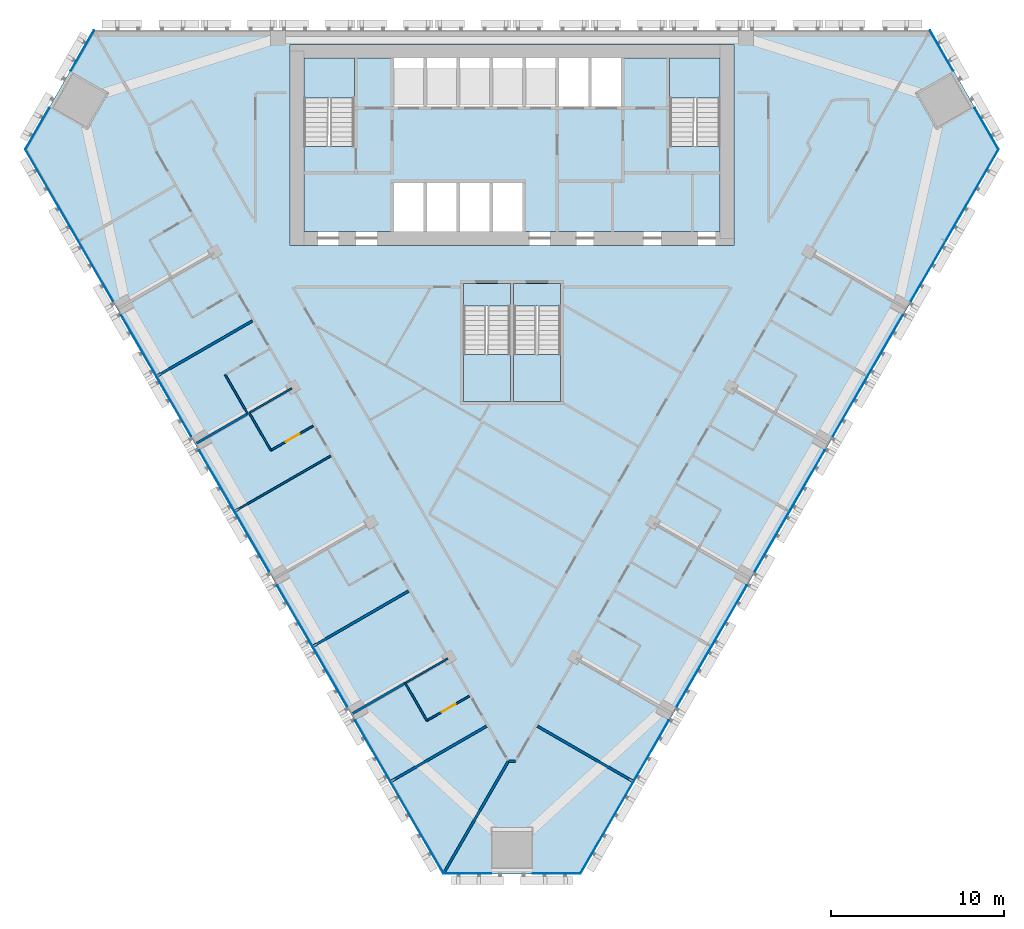
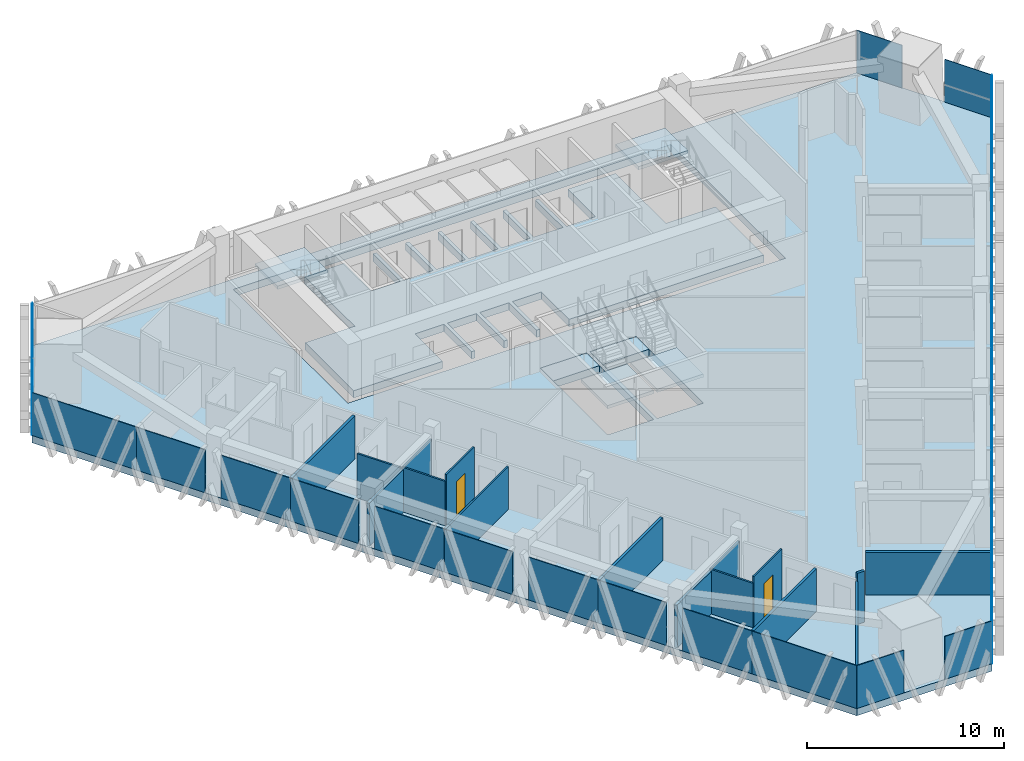
# One storey, part 8 of 16: 26 plates, 16 walls, 8 slabs, 2 doors, 2 openings, 9 elements without a shape of their own.
"""IFC4 building model written with IfcOpenShell, lengths in metres."""

import ifcopenshell
import ifcopenshell.guid

model = None  # the IFC model being written
_history = None  # IfcOwnerHistory: only IFC2X3 demands one
_inside = {}  # id of a spatial element -> (the spatial element, [elements in it])
_under = {}  # id of a project, library or spatial element -> (it, [spatial elements below it])
_declared = {}  # id of a project -> (the project, [libraries it declares])
_typed = {}  # id of a type object -> (the type object, [elements of that type])
_made_of = {}  # id of a material, layer set ... -> (it, [elements and type objects made of it])


def new_model(schema):
    """Start an empty IFC model of exactly this schema.

    Asked for "IFC4X3", IfcOpenShell would pick the latest addendum, in which some entities
    have other attributes; the version numbers below select the first issue.
    IFC2X3 requires an IfcOwnerHistory on every rooted entity: one is made here for all.
    """
    global model, _history
    if schema == "IFC4X3":
        model = ifcopenshell.file(schema_version=(4, 3, 0, 0))
    else:
        model = ifcopenshell.file(schema=schema)
    _inside.clear()
    _under.clear()
    _declared.clear()
    _typed.clear()
    _made_of.clear()
    _history = None
    if model.schema == "IFC2X3":
        org = make("IfcOrganization", Name="unknown")
        user = make(
            "IfcPersonAndOrganization",
            ThePerson=make("IfcPerson", FamilyName="unknown"),
            TheOrganization=org,
        )
        app = make(
            "IfcApplication",
            ApplicationDeveloper=org,
            Version="unknown",
            ApplicationFullName="unknown",
            ApplicationIdentifier="unknown",
        )
        _history = make(
            "IfcOwnerHistory",
            OwningUser=user,
            OwningApplication=app,
            ChangeAction="ADDED",
            CreationDate=0,
        )
    return model


def make(cls, **values):
    """One entity of the class cls with the attributes given. An attribute that is None is left unset."""
    return model.create_entity(
        cls, **{name: value for name, value in values.items() if value is not None}
    )


def rooted(cls, **values):
    """An entity with a GlobalId (a new one), such as an element, a storey or a relation."""
    return make(cls, GlobalId=ifcopenshell.guid.new(), OwnerHistory=_history, **values)


def si_unit(unit_type, name, prefix=None):
    """IfcSIUnit, for example si_unit("LENGTHUNIT", "METRE", prefix="MILLI")."""
    return make("IfcSIUnit", UnitType=unit_type, Prefix=prefix, Name=name)


def assignment(units):
    """IfcUnitAssignment: the units of a project."""
    return None if units is None else make("IfcUnitAssignment", Units=units)


def point(xyz):
    """IfcCartesianPoint."""
    return None if xyz is None else make("IfcCartesianPoint", Coordinates=xyz)


def direction(xyz):
    """IfcDirection."""
    return None if xyz is None else make("IfcDirection", DirectionRatios=xyz)


def frame(location, z_axis=None, x_axis=None):
    """IfcAxis2Placement3D, a coordinate frame: its origin and axes. An axis left out is left unset."""
    return make(
        "IfcAxis2Placement3D",
        Location=point(location),
        Axis=direction(z_axis),
        RefDirection=direction(x_axis),
    )


def frame_2d(location, x_axis=None):
    """IfcAxis2Placement2D, a coordinate frame in the plane: its origin and x axis."""
    return make(
        "IfcAxis2Placement2D", Location=point(location), RefDirection=direction(x_axis)
    )


def origin():
    """The frame at (0, 0, 0) with its axes left unset."""
    return frame((0.0, 0.0, 0.0))


def origin_2d():
    """The frame at (0, 0) in the plane with its x axis left unset."""
    return frame_2d((0.0, 0.0))


def place(relative_to, where):
    """IfcLocalPlacement: puts the frame where relative to a parent placement (None: the world)."""
    return make(
        "IfcLocalPlacement", PlacementRelTo=relative_to, RelativePlacement=where
    )


def context(
    kind, dimensions, precision=None, world=None, true_north=None, identifier=None
):
    """IfcGeometricRepresentationContext, for example the 3D "Model" context."""
    return make(
        "IfcGeometricRepresentationContext",
        ContextIdentifier=identifier,
        ContextType=kind,
        CoordinateSpaceDimension=dimensions,
        Precision=precision,
        WorldCoordinateSystem=world,
        TrueNorth=true_north,
    )


def subcontext(parent, identifier, kind, view, scale=None):
    """IfcGeometricRepresentationSubContext, for example "Body" below "Model"."""
    return make(
        "IfcGeometricRepresentationSubContext",
        ContextIdentifier=identifier,
        ContextType=kind,
        ParentContext=parent,
        TargetScale=scale,
        TargetView=view,
    )


def project(units=None, contexts=None):
    """IfcProject with its units and contexts."""
    return rooted(
        "IfcProject",
        Name="project",
        RepresentationContexts=contexts,
        UnitsInContext=assignment(units),
    )


def spatial(cls, under=None, at=None, **own):
    """A site, building, storey or space (cls), placed at a placement, below another one or the project."""
    s = rooted(cls, ObjectPlacement=at, **own)
    if under is not None:
        _under.setdefault(under.id(), (under, []))[1].append(s)
    return s


def polyline(points):
    """IfcPolyline through the points."""
    return make("IfcPolyline", Points=[point(p) for p in points])


def profile(cls, at=None, kind="AREA", **sizes):
    """A parametric profile (cls). Its sizes go by their IFC names, for example OverallWidth=200.0."""
    return make(cls, ProfileType=kind, Position=at, **sizes)


def rectangle(**sizes):
    """IfcRectangleProfileDef."""
    return profile("IfcRectangleProfileDef", **sizes)


def outline(outer, holes=None, kind="AREA"):
    """IfcArbitraryClosedProfileDef: a profile drawn as a closed curve; with holes, ...WithVoids."""
    if holes is None:
        return make("IfcArbitraryClosedProfileDef", ProfileType=kind, OuterCurve=outer)
    return make(
        "IfcArbitraryProfileDefWithVoids",
        ProfileType=kind,
        OuterCurve=outer,
        InnerCurves=holes,
    )


def extrude(swept, where, along, depth):
    """IfcExtrudedAreaSolid: the profile swept, set in the frame where, extruded along a direction by depth."""
    return make(
        "IfcExtrudedAreaSolid",
        SweptArea=swept,
        Position=where,
        ExtrudedDirection=direction(along),
        Depth=depth,
    )


def shape(context_of_items, identifier, shape_type, items):
    """IfcShapeRepresentation: the items that make up one representation, for example the "Body"."""
    return make(
        "IfcShapeRepresentation",
        ContextOfItems=context_of_items,
        RepresentationIdentifier=identifier,
        RepresentationType=shape_type,
        Items=items,
    )


def material(Name=None, Category=None):
    """IfcMaterial."""
    return make("IfcMaterial", Name=Name, Category=Category)


def layer(
    of_material, thickness, ventilated=None, Name=None, Category=None, Priority=None
):
    """IfcMaterialLayer: one layer of a wall or slab, of a material (None: an air gap)."""
    return make(
        "IfcMaterialLayer",
        Material=of_material,
        LayerThickness=thickness,
        IsVentilated=ventilated,
        Name=Name,
        Category=Category,
        Priority=Priority,
    )


def layer_set(layers, Name=None):
    """IfcMaterialLayerSet."""
    return make("IfcMaterialLayerSet", MaterialLayers=layers, LayerSetName=Name)


def made_of(thing, what):
    """Note that an element or type object is made of a material, layer set ...; save() writes the relation."""
    if what is not None:
        _made_of.setdefault(what.id(), (what, []))[1].append(thing)
    return thing


def type_object(cls, material=None, **own):
    """A type object (cls), such as IfcWallType, which elements share."""
    return made_of(rooted(cls, **own), material)


def element(
    cls,
    number,
    at=None,
    inside=None,
    cuts=None,
    type_object=None,
    material=None,
    context=None,
    identifier="Body",
    shape_type=None,
    held_by="IfcProductDefinitionShape",
    body=None,
    shapes=None,
    **own,
):
    """One element of the class cls, such as IfcWall. Its Tag is "e" and its number.

    at: its placement. inside: the storey or other place that contains it. cuts: it is an
    opening in that element (IfcRelVoidsElement). A single representation is given by context,
    identifier, shape_type and body (its items); several are given by shapes. held_by: the class
    of the entity that holds the representations. save() writes the other relations.
    """
    e = rooted(cls, Tag="e%d" % number, ObjectPlacement=at, **own)
    if body is not None:
        shapes = [shape(context, identifier, shape_type, body)]
    if shapes is not None:
        e.Representation = make(held_by, Representations=shapes)
    if inside is not None:
        _inside.setdefault(inside.id(), (inside, []))[1].append(e)
    if cuts is not None:
        rooted(
            "IfcRelVoidsElement", RelatingBuildingElement=cuts, RelatedOpeningElement=e
        )
    if type_object is not None:
        _typed.setdefault(type_object.id(), (type_object, []))[1].append(e)
    return made_of(e, material)


def fill(opening, filler):
    """IfcRelFillsElement: the door or window that sits in an opening."""
    return rooted(
        "IfcRelFillsElement",
        RelatingOpeningElement=opening,
        RelatedBuildingElement=filler,
    )


def aggregate(whole, parts):
    """IfcRelAggregates: a whole, such as a stair, and the parts it consists of."""
    return rooted("IfcRelAggregates", RelatingObject=whole, RelatedObjects=parts)


def save(model, path):
    """Write the relations noted so far, then the file.

    IfcRelAggregates (storeys below a building ...), IfcRelContainedInSpatialStructure (elements
    in a storey), IfcRelDefinesByType, IfcRelAssociatesMaterial and IfcRelDeclares: one each for
    every whole, place, type object, material and project.
    """
    for whole, parts in _under.values():
        aggregate(whole, parts)
    for where, things in _inside.values():
        rooted(
            "IfcRelContainedInSpatialStructure",
            RelatedElements=things,
            RelatingStructure=where,
        )
    for kind, things in _typed.values():
        rooted("IfcRelDefinesByType", RelatedObjects=things, RelatingType=kind)
    for what, things in _made_of.values():
        rooted("IfcRelAssociatesMaterial", RelatedObjects=things, RelatingMaterial=what)
    for by, libraries in _declared.values():
        rooted("IfcRelDeclares", RelatingContext=by, RelatedDefinitions=libraries)
    model.write(path)


model = new_model("IFC4")

# Units and contexts
model_context = context("Model", 3, precision=1e-05, world=origin(), true_north=direction((0.0, 1.0)))
body_context = subcontext(model_context, "Body", "Model", "MODEL_VIEW")
ifc_project = project(units=[si_unit("LENGTHUNIT", "METRE"), si_unit("AREAUNIT", "SQUARE_METRE"), si_unit("VOLUMEUNIT", "CUBIC_METRE"), si_unit("PLANEANGLEUNIT", "RADIAN"), si_unit("MASSUNIT", "GRAM", prefix="KILO")], contexts=[model_context])

# Site, building, storey
site_placement = place(None, origin())
site = spatial("IfcSite", under=ifc_project, at=site_placement, CompositionType="ELEMENT")
building_placement = place(site_placement, origin())
building = spatial("IfcBuilding", under=site, at=building_placement, Name="Altiplano Prism Tower", CompositionType="ELEMENT")
storey_placement = place(building_placement, frame((0.0, 0.0, 124.199951171875)))
storey = spatial("IfcBuildingStorey", under=building, at=storey_placement, Name="L31", CompositionType="ELEMENT", Elevation=124.199951171875)

# Curtain wall, plates
ifc_material_1 = material(Name="Aluminium and glass", Category="aluminium")
ifc_layer_1 = layer(ifc_material_1, 0.280029296875)
ifc_layer_set_1 = layer_set([ifc_layer_1], Name="Aluminium and glass")
curtain_wall_type = type_object("IfcCurtainWallType", Name="CW1 typical co-living unitised curtain wall", PredefinedType="NOTDEFINED", material=ifc_layer_set_1)
curtain_wall_1_placement = place(storey_placement, origin())
curtain_wall_1 = element("IfcCurtainWall", 1, at=curtain_wall_1_placement, inside=storey, type_object=curtain_wall_type, Name="CW1 curtain wall north-west chamfer L31", PredefinedType="NOTDEFINED")
ifc_material_2 = material(Name="Clear glass", Category="glass")
ifc_layer_2 = layer(ifc_material_2, 0.0400390625)
ifc_layer_set_2 = layer_set([ifc_layer_2], Name="Clear glass")
plate_type = type_object("IfcPlateType", Name="CW1 insulated glass unit 40", PredefinedType="CURTAIN_PANEL", material=ifc_layer_set_2)
plate_1_placement = place(storey_placement, frame((60.21533203125, 103.8291015625, 0.0), z_axis=(0.0, 0.0, 1.0), x_axis=(-0.499999998458, -0.866025404675, 0.0)))
plate_1 = element("IfcPlate", 2, at=plate_1_placement, type_object=plate_type, Name="CW1 panel", PredefinedType="CURTAIN_PANEL", context=body_context, shape_type="SweptSolid", body=[
    extrude(rectangle(XDim=2.6708984375, YDim=0.0400390625, at=origin_2d()), origin(), (0.0, 0.0, 1.0), 2.64990234375),
])
plate_2_placement = place(storey_placement, frame((57.61474609375, 99.324951171875, 0.0), z_axis=(0.0, 0.0, 1.0), x_axis=(-0.499999998458, -0.866025404675, 0.0)))
plate_2 = element("IfcPlate", 3, at=plate_2_placement, type_object=plate_type, Name="CW1 panel", PredefinedType="CURTAIN_PANEL", context=body_context, shape_type="SweptSolid", body=[
    extrude(rectangle(XDim=2.7509765625, YDim=0.0400390625, at=origin_2d()), origin(), (0.0, 0.0, 1.0), 2.64990234375),
])
aggregate(curtain_wall_1, [plate_1, plate_2])

curtain_wall_2_placement = place(storey_placement, origin())
curtain_wall_2 = element("IfcCurtainWall", 4, at=curtain_wall_2_placement, inside=storey, type_object=curtain_wall_type, Name="CW1 curtain wall south-west face L31", PredefinedType="NOTDEFINED")
plate_3_placement = place(storey_placement, frame((58.45751953125, 95.494384765625, 0.0), z_axis=(0.0, 0.0, 1.0), x_axis=(0.499999989722, -0.866025409719, 0.0)))
plate_3 = element("IfcPlate", 5, at=plate_3_placement, type_object=plate_type, Name="CW1 panel", PredefinedType="CURTAIN_PANEL", context=body_context, shape_type="SweptSolid", body=[
    extrude(rectangle(XDim=6.121826171875, YDim=0.0400390625, at=origin_2d()), origin(), (0.0, 0.0, 1.0), 2.64990234375),
])
plate_4_placement = place(storey_placement, frame((60.989501953125, 91.109130859375, 0.0), z_axis=(0.0, 0.0, 1.0), x_axis=(0.499999989722, -0.866025409719, 0.0)))
plate_4 = element("IfcPlate", 6, at=plate_4_placement, type_object=plate_type, Name="CW1 panel", PredefinedType="CURTAIN_PANEL", context=body_context, shape_type="SweptSolid", body=[
    extrude(rectangle(XDim=3.985595703125, YDim=0.0400390625, at=origin_2d()), origin(), (0.0, 0.0, 1.0), 2.64990234375),
])
plate_5_placement = place(storey_placement, frame((63.471923828125, 86.809326171875, 0.0), z_axis=(0.0, 0.0, 1.0), x_axis=(0.499999989722, -0.866025409719, 0.0)))
plate_5 = element("IfcPlate", 7, at=plate_5_placement, type_object=plate_type, Name="CW1 panel", PredefinedType="CURTAIN_PANEL", context=body_context, shape_type="SweptSolid", body=[
    extrude(rectangle(XDim=4.064453125, YDim=0.0400390625, at=origin_2d()), origin(), (0.0, 0.0, 1.0), 2.64990234375),
])
plate_6_placement = place(storey_placement, frame((65.489501953125, 83.31494140625, 0.0), z_axis=(0.0, 0.0, 1.0), x_axis=(0.499999989722, -0.866025409719, 0.0)))
plate_6 = element("IfcPlate", 8, at=plate_6_placement, type_object=plate_type, Name="CW1 panel", PredefinedType="CURTAIN_PANEL", context=body_context, shape_type="SweptSolid", body=[
    extrude(rectangle(XDim=3.985595703125, YDim=0.0400390625, at=origin_2d()), origin(), (0.0, 0.0, 1.0), 2.64990234375),
])
plate_7_placement = place(storey_placement, frame((67.971923828125, 79.014892578125, 0.0), z_axis=(0.0, 0.0, 1.0), x_axis=(0.499999989722, -0.866025409719, 0.0)))
plate_7 = element("IfcPlate", 9, at=plate_7_placement, type_object=plate_type, Name="CW1 panel", PredefinedType="CURTAIN_PANEL", context=body_context, shape_type="SweptSolid", body=[
    extrude(rectangle(XDim=4.064453125, YDim=0.0400390625, at=origin_2d()), origin(), (0.0, 0.0, 1.0), 2.64990234375),
])
plate_8_placement = place(storey_placement, frame((69.989501953125, 75.520751953125, 0.0), z_axis=(0.0, 0.0, 1.0), x_axis=(0.499999989722, -0.866025409719, 0.0)))
plate_8 = element("IfcPlate", 10, at=plate_8_placement, type_object=plate_type, Name="CW1 panel", PredefinedType="CURTAIN_PANEL", context=body_context, shape_type="SweptSolid", body=[
    extrude(rectangle(XDim=3.985595703125, YDim=0.0400390625, at=origin_2d()), origin(), (0.0, 0.0, 1.0), 2.64990234375),
])
plate_9_placement = place(storey_placement, frame((72.471923828125, 71.220703125, 0.0), z_axis=(0.0, 0.0, 1.0), x_axis=(0.499999989722, -0.866025409719, 0.0)))
plate_9 = element("IfcPlate", 11, at=plate_9_placement, type_object=plate_type, Name="CW1 panel", PredefinedType="CURTAIN_PANEL", context=body_context, shape_type="SweptSolid", body=[
    extrude(rectangle(XDim=4.064453125, YDim=0.0400390625, at=origin_2d()), origin(), (0.0, 0.0, 1.0), 2.64990234375),
])
plate_10_placement = place(storey_placement, frame((74.489501953125, 67.726318359375, 0.0), z_axis=(0.0, 0.0, 1.0), x_axis=(0.499999989722, -0.866025409719, 0.0)))
plate_10 = element("IfcPlate", 12, at=plate_10_placement, type_object=plate_type, Name="CW1 panel", PredefinedType="CURTAIN_PANEL", context=body_context, shape_type="SweptSolid", body=[
    extrude(rectangle(XDim=3.985595703125, YDim=0.0400390625, at=origin_2d()), origin(), (0.0, 0.0, 1.0), 2.64990234375),
])
plate_11_placement = place(storey_placement, frame((76.971923828125, 63.426513671875, 0.0), z_axis=(0.0, 0.0, 1.0), x_axis=(0.499999989722, -0.866025409719, 0.0)))
plate_11 = element("IfcPlate", 13, at=plate_11_placement, type_object=plate_type, Name="CW1 panel", PredefinedType="CURTAIN_PANEL", context=body_context, shape_type="SweptSolid", body=[
    extrude(rectangle(XDim=4.064453125, YDim=0.0400390625, at=origin_2d()), origin(), (0.0, 0.0, 1.0), 2.64990234375),
])
plate_12_placement = place(storey_placement, frame((79.5234375, 59.007080078125, 0.0), z_axis=(0.0, 0.0, 1.0), x_axis=(0.499999989722, -0.866025409719, 0.0)))
plate_12 = element("IfcPlate", 14, at=plate_12_placement, type_object=plate_type, Name="CW1 panel", PredefinedType="CURTAIN_PANEL", context=body_context, shape_type="SweptSolid", body=[
    extrude(rectangle(XDim=6.121826171875, YDim=0.0400390625, at=origin_2d()), origin(), (0.0, 0.0, 1.0), 2.64990234375),
])
aggregate(curtain_wall_2, [plate_3, plate_4, plate_5, plate_6, plate_7, plate_8, plate_9, plate_10, plate_11, plate_12])

curtain_wall_3_placement = place(storey_placement, origin())
curtain_wall_3 = element("IfcCurtainWall", 15, at=curtain_wall_3_placement, inside=storey, type_object=curtain_wall_type, Name="CW1 curtain wall south chamfer L31", PredefinedType="NOTDEFINED")
plate_13_placement = place(storey_placement, frame((82.41943359375, 56.362060546875, 0.0), z_axis=(0.0, 0.0, 1.0), x_axis=(1.0, 0.0, 0.0)))
plate_13 = element("IfcPlate", 16, at=plate_13_placement, type_object=plate_type, Name="CW1 panel", PredefinedType="CURTAIN_PANEL", context=body_context, shape_type="SweptSolid", body=[
    extrude(rectangle(XDim=2.7509765625, YDim=0.0400390625, at=origin_2d()), origin(), (0.0, 0.0, 1.0), 2.64990234375),
])
plate_14_placement = place(storey_placement, frame((87.58056640625, 56.362060546875, 0.0), z_axis=(0.0, 0.0, 1.0), x_axis=(1.0, 0.0, 0.0)))
plate_14 = element("IfcPlate", 17, at=plate_14_placement, type_object=plate_type, Name="CW1 panel", PredefinedType="CURTAIN_PANEL", context=body_context, shape_type="SweptSolid", body=[
    extrude(rectangle(XDim=2.7509765625, YDim=0.0400390625, at=origin_2d()), origin(), (0.0, 0.0, 1.0), 2.64990234375),
])
aggregate(curtain_wall_3, [plate_13, plate_14])

curtain_wall_4_placement = place(storey_placement, origin())
curtain_wall_4 = element("IfcCurtainWall", 18, at=curtain_wall_4_placement, inside=storey, type_object=curtain_wall_type, Name="CW1 curtain wall south-east face L31", PredefinedType="NOTDEFINED")
plate_15_placement = place(storey_placement, frame((90.4765625, 59.007080078125, 0.0), z_axis=(0.0, 0.0, 1.0), x_axis=(0.499999989722, 0.866025409719, 0.0)))
plate_15 = element("IfcPlate", 19, at=plate_15_placement, type_object=plate_type, Name="CW1 panel", PredefinedType="CURTAIN_PANEL", context=body_context, shape_type="SweptSolid", body=[
    extrude(rectangle(XDim=6.121826171875, YDim=0.0400390625, at=origin_2d()), origin(), (0.0, 0.0, 1.0), 2.64990234375),
])
plate_16_placement = place(storey_placement, frame((93.028076171875, 63.426513671875, 0.0), z_axis=(0.0, 0.0, 1.0), x_axis=(0.499999989722, 0.866025409719, 0.0)))
plate_16 = element("IfcPlate", 20, at=plate_16_placement, type_object=plate_type, Name="CW1 panel", PredefinedType="CURTAIN_PANEL", context=body_context, shape_type="SweptSolid", body=[
    extrude(rectangle(XDim=4.064453125, YDim=0.0400390625, at=origin_2d()), origin(), (0.0, 0.0, 1.0), 2.64990234375),
])
plate_17_placement = place(storey_placement, frame((95.510498046875, 67.726318359375, 0.0), z_axis=(0.0, 0.0, 1.0), x_axis=(0.499999989722, 0.866025409719, 0.0)))
plate_17 = element("IfcPlate", 21, at=plate_17_placement, type_object=plate_type, Name="CW1 panel", PredefinedType="CURTAIN_PANEL", context=body_context, shape_type="SweptSolid", body=[
    extrude(rectangle(XDim=3.985595703125, YDim=0.0400390625, at=origin_2d()), origin(), (0.0, 0.0, 1.0), 2.64990234375),
])
plate_18_placement = place(storey_placement, frame((97.528076171875, 71.220703125, 0.0), z_axis=(0.0, 0.0, 1.0), x_axis=(0.499999989722, 0.866025409719, 0.0)))
plate_18 = element("IfcPlate", 22, at=plate_18_placement, type_object=plate_type, Name="CW1 panel", PredefinedType="CURTAIN_PANEL", context=body_context, shape_type="SweptSolid", body=[
    extrude(rectangle(XDim=4.064453125, YDim=0.0400390625, at=origin_2d()), origin(), (0.0, 0.0, 1.0), 2.64990234375),
])
plate_19_placement = place(storey_placement, frame((100.010498046875, 75.520751953125, 0.0), z_axis=(0.0, 0.0, 1.0), x_axis=(0.499999989722, 0.866025409719, 0.0)))
plate_19 = element("IfcPlate", 23, at=plate_19_placement, type_object=plate_type, Name="CW1 panel", PredefinedType="CURTAIN_PANEL", context=body_context, shape_type="SweptSolid", body=[
    extrude(rectangle(XDim=3.985595703125, YDim=0.0400390625, at=origin_2d()), origin(), (0.0, 0.0, 1.0), 2.64990234375),
])
plate_20_placement = place(storey_placement, frame((102.028076171875, 79.014892578125, 0.0), z_axis=(0.0, 0.0, 1.0), x_axis=(0.499999989722, 0.866025409719, 0.0)))
plate_20 = element("IfcPlate", 24, at=plate_20_placement, type_object=plate_type, Name="CW1 panel", PredefinedType="CURTAIN_PANEL", context=body_context, shape_type="SweptSolid", body=[
    extrude(rectangle(XDim=4.064453125, YDim=0.0400390625, at=origin_2d()), origin(), (0.0, 0.0, 1.0), 2.64990234375),
])
plate_21_placement = place(storey_placement, frame((104.510498046875, 83.31494140625, 0.0), z_axis=(0.0, 0.0, 1.0), x_axis=(0.499999989722, 0.866025409719, 0.0)))
plate_21 = element("IfcPlate", 25, at=plate_21_placement, type_object=plate_type, Name="CW1 panel", PredefinedType="CURTAIN_PANEL", context=body_context, shape_type="SweptSolid", body=[
    extrude(rectangle(XDim=3.985595703125, YDim=0.0400390625, at=origin_2d()), origin(), (0.0, 0.0, 1.0), 2.64990234375),
])
plate_22_placement = place(storey_placement, frame((106.528076171875, 86.809326171875, 0.0), z_axis=(0.0, 0.0, 1.0), x_axis=(0.499999989722, 0.866025409719, 0.0)))
plate_22 = element("IfcPlate", 26, at=plate_22_placement, type_object=plate_type, Name="CW1 panel", PredefinedType="CURTAIN_PANEL", context=body_context, shape_type="SweptSolid", body=[
    extrude(rectangle(XDim=4.064453125, YDim=0.0400390625, at=origin_2d()), origin(), (0.0, 0.0, 1.0), 2.64990234375),
])
plate_23_placement = place(storey_placement, frame((109.010498046875, 91.109130859375, 0.0), z_axis=(0.0, 0.0, 1.0), x_axis=(0.499999989722, 0.866025409719, 0.0)))
plate_23 = element("IfcPlate", 27, at=plate_23_placement, type_object=plate_type, Name="CW1 panel", PredefinedType="CURTAIN_PANEL", context=body_context, shape_type="SweptSolid", body=[
    extrude(rectangle(XDim=3.985595703125, YDim=0.0400390625, at=origin_2d()), origin(), (0.0, 0.0, 1.0), 2.64990234375),
])
plate_24_placement = place(storey_placement, frame((111.54248046875, 95.494384765625, 0.0), z_axis=(0.0, 0.0, 1.0), x_axis=(0.499999989722, 0.866025409719, 0.0)))
plate_24 = element("IfcPlate", 28, at=plate_24_placement, type_object=plate_type, Name="CW1 panel", PredefinedType="CURTAIN_PANEL", context=body_context, shape_type="SweptSolid", body=[
    extrude(rectangle(XDim=6.121826171875, YDim=0.0400390625, at=origin_2d()), origin(), (0.0, 0.0, 1.0), 2.64990234375),
])
aggregate(curtain_wall_4, [plate_15, plate_16, plate_17, plate_18, plate_19, plate_20, plate_21, plate_22, plate_23, plate_24])

curtain_wall_5_placement = place(storey_placement, origin())
curtain_wall_5 = element("IfcCurtainWall", 29, at=curtain_wall_5_placement, inside=storey, type_object=curtain_wall_type, Name="CW1 curtain wall north-east chamfer L31", PredefinedType="NOTDEFINED")
plate_25_placement = place(storey_placement, frame((112.38525390625, 99.324951171875, 0.0), z_axis=(0.0, 0.0, 1.0), x_axis=(-0.499999998458, 0.866025404675, 0.0)))
plate_25 = element("IfcPlate", 30, at=plate_25_placement, type_object=plate_type, Name="CW1 panel", PredefinedType="CURTAIN_PANEL", context=body_context, shape_type="SweptSolid", body=[
    extrude(rectangle(XDim=2.7509765625, YDim=0.0400390625, at=origin_2d()), origin(), (0.0, 0.0, 1.0), 2.64990234375),
])
plate_26_placement = place(storey_placement, frame((109.78466796875, 103.8291015625, 0.0), z_axis=(0.0, 0.0, 1.0), x_axis=(-0.499999998458, 0.866025404675, 0.0)))
plate_26 = element("IfcPlate", 31, at=plate_26_placement, type_object=plate_type, Name="CW1 panel", PredefinedType="CURTAIN_PANEL", context=body_context, shape_type="SweptSolid", body=[
    extrude(rectangle(XDim=2.6708984375, YDim=0.0400390625, at=origin_2d()), origin(), (0.0, 0.0, 1.0), 2.64990234375),
])
aggregate(curtain_wall_5, [plate_25, plate_26])

# Slabs
ifc_material_3 = material(Name="Concrete C40/50", Category="concrete")
ifc_layer_3 = layer(ifc_material_3, 0.449951171875)
ifc_layer_set_3 = layer_set([ifc_layer_3], Name="Concrete C40/50")
slab_type_1 = type_object("IfcSlabType", Name="Core floor slab 450", PredefinedType="FLOOR", material=ifc_layer_set_3)
slab_1_placement = place(storey_placement, frame((0.0, 0.0, -0.449951171875)))
element("IfcSlab", 32, at=slab_1_placement, inside=storey, type_object=slab_type_1, Name="Core floor slab L31", PredefinedType="FLOOR", context=body_context, shape_type="SweptSolid", body=[
    extrude(outline(polyline([(97.0, 98.31005859375), (94.10009765625, 98.31005859375), (94.10009765625, 103.39990234375), (91.300048828125, 103.39990234375), (91.300048828125, 100.60009765625), (89.60009765625, 100.60009765625), (89.60009765625, 103.39990234375), (89.39990234375, 103.39990234375), (89.39990234375, 100.60009765625), (87.699951171875, 100.60009765625), (87.699951171875, 103.39990234375), (87.5, 103.39990234375), (87.5, 100.60009765625), (85.800048828125, 100.60009765625), (85.800048828125, 103.39990234375), (85.60009765625, 103.39990234375), (85.60009765625, 100.60009765625), (83.89990234375, 100.60009765625), (83.89990234375, 103.39990234375), (83.699951171875, 103.39990234375), (83.699951171875, 100.60009765625), (82.0, 100.60009765625), (82.0, 103.39990234375), (81.800048828125, 103.39990234375), (81.800048828125, 100.60009765625), (80.10009765625, 100.60009765625), (80.10009765625, 103.39990234375), (79.89990234375, 103.39990234375), (79.89990234375, 100.60009765625), (78.199951171875, 100.60009765625), (78.199951171875, 103.39990234375), (75.89990234375, 103.39990234375), (75.89990234375, 98.31005859375), (73.0, 98.31005859375), (73.0, 93.39990234375), (78.199951171875, 93.39990234375), (78.199951171875, 96.199951171875), (79.89990234375, 96.199951171875), (79.89990234375, 93.39990234375), (80.10009765625, 93.39990234375), (80.10009765625, 96.199951171875), (81.800048828125, 96.199951171875), (81.800048828125, 93.39990234375), (82.0, 93.39990234375), (82.0, 96.199951171875), (83.699951171875, 96.199951171875), (83.699951171875, 93.39990234375), (83.89990234375, 93.39990234375), (83.89990234375, 96.199951171875), (85.60009765625, 96.199951171875), (85.60009765625, 93.39990234375), (97.0, 93.39990234375), (97.0, 98.31005859375)])), origin(), (0.0, 0.0, 1.0), 0.449951171875),
])
slab_2_placement = place(storey_placement, frame((0.0, 0.0, -0.449951171875)))
element("IfcSlab", 33, at=slab_2_placement, inside=storey, type_object=slab_type_1, Name="Stair 3A landing slab L31", PredefinedType="FLOOR", context=body_context, shape_type="SweptSolid", body=[
    extrude(outline(polyline([(82.199951171875, 89.096923828125), (84.89990234375, 89.096923828125), (84.89990234375, 90.39990234375), (82.199951171875, 90.39990234375), (82.199951171875, 89.096923828125)])), origin(), (0.0, 0.0, 1.0), 0.449951171875),
])
slab_3_placement = place(storey_placement, frame((0.0, 0.0, -0.449951171875)))
element("IfcSlab", 34, at=slab_3_placement, inside=storey, type_object=slab_type_1, Name="Stair 3B landing slab L31", PredefinedType="FLOOR", context=body_context, shape_type="SweptSolid", body=[
    extrude(outline(polyline([(85.10009765625, 89.096923828125), (87.800048828125, 89.096923828125), (87.800048828125, 90.39990234375), (85.10009765625, 90.39990234375), (85.10009765625, 89.096923828125)])), origin(), (0.0, 0.0, 1.0), 0.449951171875),
])
ifc_layer_4 = layer(ifc_material_3, 0.449951171875)
ifc_layer_set_4 = layer_set([ifc_layer_4], Name="Concrete C40/50")
slab_type_2 = type_object("IfcSlabType", Name="Post-tensioned flat slab 450", PredefinedType="FLOOR", material=ifc_layer_set_4)
slab_4_placement = place(storey_placement, frame((0.0, 0.0, -0.449951171875)))
element("IfcSlab", 35, at=slab_4_placement, inside=storey, type_object=slab_type_2, Name="Floor slab L31", PredefinedType="FLOOR", context=body_context, shape_type="SweptSolid", body=[
    extrude(outline(polyline([(81.0390625, 56.342041015625), (56.9072265625, 98.139404296875), (60.8681640625, 105.0), (109.1318359375, 105.0), (113.0927734375, 98.139404296875), (88.9609375, 56.342041015625), (81.0390625, 56.342041015625)]), holes=[polyline([(72.199951171875, 104.199951171875), (72.199951171875, 92.60009765625), (97.800048828125, 92.60009765625), (97.800048828125, 104.199951171875), (72.199951171875, 104.199951171875)]), polyline([(84.89990234375, 90.39990234375), (82.199951171875, 90.39990234375), (82.199951171875, 83.60009765625), (84.89990234375, 83.60009765625), (84.89990234375, 90.39990234375)]), polyline([(87.800048828125, 83.60009765625), (87.800048828125, 90.39990234375), (85.10009765625, 90.39990234375), (85.10009765625, 83.60009765625), (87.800048828125, 83.60009765625)])]), origin(), (0.0, 0.0, 1.0), 0.449951171875),
])

# Stair, slab
stair_type_1 = type_object("IfcStairType", Name="Exit stair 1400", PredefinedType="HALF_TURN_STAIR", material=ifc_material_3)
stair_1_placement = place(storey_placement, origin())
stair_1 = element("IfcStair", 36, at=stair_1_placement, inside=storey, type_object=stair_type_1, Name="L31 Exit Stair 1", PredefinedType="HALF_TURN_STAIR")
ifc_layer_5 = layer(ifc_material_3, 0.199951171875)
ifc_layer_set_5 = layer_set([ifc_layer_5], Name="Concrete C40/50")
slab_type_3 = type_object("IfcSlabType", Name="Stair landing 200", PredefinedType="LANDING", material=ifc_layer_set_5)
slab_5_placement = place(storey_placement, frame((0.0, 0.0, 1.60009765625)))
slab_5 = element("IfcSlab", 37, at=slab_5_placement, type_object=slab_type_3, Name="ST1 landing 1", PredefinedType="LANDING", context=body_context, shape_type="SweptSolid", body=[
    extrude(outline(polyline([(75.89990234375, 101.096923828125), (75.89990234375, 103.39990234375), (73.0, 103.39990234375), (73.0, 101.096923828125), (75.89990234375, 101.096923828125)])), origin(), (0.0, 0.0, 1.0), 0.199951171875),
])
aggregate(stair_1, [slab_5])

stair_2_placement = place(storey_placement, origin())
stair_2 = element("IfcStair", 38, at=stair_2_placement, inside=storey, type_object=stair_type_1, Name="L31 Exit Stair 2", PredefinedType="HALF_TURN_STAIR")
slab_6_placement = place(storey_placement, frame((0.0, 0.0, 1.60009765625)))
slab_6 = element("IfcSlab", 39, at=slab_6_placement, type_object=slab_type_3, Name="ST2 landing 1", PredefinedType="LANDING", context=body_context, shape_type="SweptSolid", body=[
    extrude(outline(polyline([(97.0, 101.096923828125), (97.0, 103.39990234375), (94.10009765625, 103.39990234375), (94.10009765625, 101.096923828125), (97.0, 101.096923828125)])), origin(), (0.0, 0.0, 1.0), 0.199951171875),
])
aggregate(stair_2, [slab_6])

stair_type_2 = type_object("IfcStairType", Name="Exit stair 1300", PredefinedType="HALF_TURN_STAIR", material=ifc_material_3)
stair_3_placement = place(storey_placement, origin())
stair_3 = element("IfcStair", 40, at=stair_3_placement, inside=storey, type_object=stair_type_2, Name="L31 Exit Stair 3A", PredefinedType="HALF_TURN_STAIR")
slab_7_placement = place(storey_placement, frame((0.0, 0.0, 1.60009765625)))
slab_7 = element("IfcSlab", 41, at=slab_7_placement, type_object=slab_type_3, Name="ST3A landing 1", PredefinedType="LANDING", context=body_context, shape_type="SweptSolid", body=[
    extrude(outline(polyline([(82.199951171875, 86.302978515625), (82.199951171875, 83.60009765625), (84.89990234375, 83.60009765625), (84.89990234375, 86.302978515625), (82.199951171875, 86.302978515625)])), origin(), (0.0, 0.0, 1.0), 0.199951171875),
])
aggregate(stair_3, [slab_7])

stair_4_placement = place(storey_placement, origin())
stair_4 = element("IfcStair", 42, at=stair_4_placement, inside=storey, type_object=stair_type_2, Name="L31 Exit Stair 3B", PredefinedType="HALF_TURN_STAIR")
slab_8_placement = place(storey_placement, frame((0.0, 0.0, 1.60009765625)))
slab_8 = element("IfcSlab", 43, at=slab_8_placement, type_object=slab_type_3, Name="ST3B landing 1", PredefinedType="LANDING", context=body_context, shape_type="SweptSolid", body=[
    extrude(outline(polyline([(85.10009765625, 86.302978515625), (85.10009765625, 83.60009765625), (87.800048828125, 83.60009765625), (87.800048828125, 86.302978515625), (85.10009765625, 86.302978515625)])), origin(), (0.0, 0.0, 1.0), 0.199951171875),
])
aggregate(stair_4, [slab_8])

# Wall
ifc_material_4 = material(Name="Plasterboard on steel stud", Category="steel")
ifc_layer_6 = layer(ifc_material_4, 0.10009765625)
ifc_layer_set_6 = layer_set([ifc_layer_6], Name="Plasterboard on steel stud")
wall_type_1 = type_object("IfcWallType", Name="Partition 100 unit", PredefinedType="PARTITIONING", material=ifc_layer_set_6)
wall_1_placement = place(storey_placement, frame((69.716796875, 82.952880859375, 0.0), z_axis=(0.0, 0.0, 1.0), x_axis=(-0.50001820224, 0.866014894461, 0.0)))
element("IfcWall", 44, at=wall_1_placement, inside=storey, type_object=wall_type_1, Name="Partition P02 L31 043", PredefinedType="PARTITIONING", context=body_context, shape_type="SweptSolid", body=[
    extrude(rectangle(XDim=2.52490234375, YDim=0.10009765625, at=frame_2d((1.262451171875, 0.0))), origin(), (0.0, 0.0, 1.0), 2.75),
])

# Wall, opening, door
wall_2_placement = place(storey_placement, frame((73.537353515625, 82.185302734375, 0.0), z_axis=(0.0, 0.0, 1.0), x_axis=(-0.866011447264, -0.500024172624, 0.0)))
wall_2 = element("IfcWall", 45, at=wall_2_placement, inside=storey, type_object=wall_type_1, Name="Partition P02 L31 047", PredefinedType="PARTITIONING", context=body_context, shape_type="SweptSolid", body=[
    extrude(rectangle(XDim=2.824951171875, YDim=0.10009765625, at=frame_2d((1.41259765625, 0.0))), origin(), (0.0, 0.0, 1.0), 3.150146484375),
])
opening_1_placement = place(wall_2_placement, frame((0.925048828125, 0.0, 0.0)))
opening_1 = element("IfcOpeningElement", 46, at=opening_1_placement, cuts=wall_2, Name="Opening D1106", PredefinedType="OPENING", context=body_context, shape_type="SweptSolid", body=[
    extrude(rectangle(XDim=0.89990234375, YDim=2.10009765625, at=frame_2d((0.449951171875, 1.050048828125))), frame((0.0, 0.060546875, 0.0), z_axis=(0.0, -1.0, 0.0), x_axis=(1.0, 0.0, 0.0)), (0.0, 0.0, 1.0), 0.12109375),
])
ifc_material_5 = material(Name="Timber", Category="wood")
door_type = type_object("IfcDoorType", Name="Ensuite door 900 x 2100", OperationType="NOTDEFINED", PredefinedType="NOTDEFINED", material=ifc_material_5)
door_1_placement = place(opening_1_placement, origin())
door_1 = element("IfcDoor", 47, at=door_1_placement, inside=storey, type_object=door_type, Name="Door D1106", OperationType="SINGLE_SWING_LEFT", OverallHeight=2.10009765625, OverallWidth=0.89990234375, PredefinedType="NOTDEFINED", context=body_context, shape_type="SweptSolid", body=[
    extrude(rectangle(XDim=0.89990234375, YDim=2.10009765625, at=frame_2d((0.449951171875, 1.050048828125))), frame((0.0, 0.02490234375, 0.0), z_axis=(0.0, -1.0, 0.0), x_axis=(1.0, 0.0, 0.0)), (0.0, 0.0, 1.0), 0.050048828125),
])
fill(opening_1, door_1)

# Wall
wall_3_placement = place(storey_placement, frame((71.0908203125, 80.772705078125, 0.0), z_axis=(0.0, 0.0, 1.0), x_axis=(-0.500004234368, 0.866022959057, 0.0)))
element("IfcWall", 48, at=wall_3_placement, inside=storey, type_object=wall_type_1, Name="Partition P02 L31 048", PredefinedType="PARTITIONING", context=body_context, shape_type="SweptSolid", body=[
    extrude(rectangle(XDim=2.5, YDim=0.10009765625, at=frame_2d((1.25, 0.0))), origin(), (0.0, 0.0, 1.0), 2.75),
])

# Wall, opening, door
wall_4_placement = place(storey_placement, frame((82.537353515625, 66.596923828125, 0.0), z_axis=(0.0, 0.0, 1.0), x_axis=(-0.866011447264, -0.500024172624, 0.0)))
wall_4 = element("IfcWall", 49, at=wall_4_placement, inside=storey, type_object=wall_type_1, Name="Partition P02 L31 056", PredefinedType="PARTITIONING", context=body_context, shape_type="SweptSolid", body=[
    extrude(rectangle(XDim=2.824951171875, YDim=0.10009765625, at=frame_2d((1.41259765625, 0.0))), origin(), (0.0, 0.0, 1.0), 3.150146484375),
])
opening_2_placement = place(wall_4_placement, frame((0.925048828125, 0.0, 0.0)))
opening_2 = element("IfcOpeningElement", 50, at=opening_2_placement, cuts=wall_4, Name="Opening D1112", PredefinedType="OPENING", context=body_context, shape_type="SweptSolid", body=[
    extrude(rectangle(XDim=0.89990234375, YDim=2.10009765625, at=frame_2d((0.449951171875, 1.050048828125))), frame((0.0, 0.060546875, 0.0), z_axis=(0.0, -1.0, 0.0), x_axis=(1.0, 0.0, 0.0)), (0.0, 0.0, 1.0), 0.12109375),
])
door_2_placement = place(opening_2_placement, origin())
door_2 = element("IfcDoor", 51, at=door_2_placement, inside=storey, type_object=door_type, Name="Door D1112", OperationType="SINGLE_SWING_RIGHT", OverallHeight=2.10009765625, OverallWidth=0.89990234375, PredefinedType="NOTDEFINED", context=body_context, shape_type="SweptSolid", body=[
    extrude(rectangle(XDim=0.89990234375, YDim=2.10009765625, at=frame_2d((0.449951171875, 1.050048828125))), frame((0.0, 0.02490234375, 0.0), z_axis=(0.0, -1.0, 0.0), x_axis=(1.0, 0.0, 0.0)), (0.0, 0.0, 1.0), 0.050048828125),
])
fill(opening_2, door_2)

# Walls
wall_5_placement = place(storey_placement, frame((80.0908203125, 65.184326171875, 0.0), z_axis=(0.0, 0.0, 1.0), x_axis=(-0.500004234368, 0.866022959057, 0.0)))
element("IfcWall", 52, at=wall_5_placement, inside=storey, type_object=wall_type_1, Name="Partition P02 L31 057", PredefinedType="PARTITIONING", context=body_context, shape_type="SweptSolid", body=[
    extrude(rectangle(XDim=2.5, YDim=0.10009765625, at=frame_2d((1.25, 0.0))), origin(), (0.0, 0.0, 1.0), 2.75),
])
ifc_layer_7 = layer(ifc_material_4, 0.10009765625)
ifc_layer_set_7 = layer_set([ifc_layer_7], Name="Plasterboard on steel stud")
wall_type_2 = type_object("IfcWallType", Name="Partition 100 wet", PredefinedType="PARTITIONING", material=ifc_layer_set_7)
wall_6_placement = place(storey_placement, frame((69.8408203125, 82.937744140625, 0.0), z_axis=(0.0, 0.0, 1.0), x_axis=(0.866011447264, 0.500024172624, 0.0)))
element("IfcWall", 53, at=wall_6_placement, inside=storey, type_object=wall_type_2, Name="Partition P03 L31 046", PredefinedType="PARTITIONING", context=body_context, shape_type="SweptSolid", body=[
    extrude(rectangle(XDim=2.824951171875, YDim=0.10009765625, at=frame_2d((1.41259765625, 0.0))), origin(), (0.0, 0.0, 1.0), 2.75),
])
wall_7_placement = place(storey_placement, frame((69.042236328125, 77.28076171875, 0.0), z_axis=(0.0, 0.0, 1.0), x_axis=(0.866042062017, 0.499971145986, 0.0)))
element("IfcWall", 54, at=wall_7_placement, inside=storey, type_object=wall_type_2, Name="Partition P03 L31 049", PredefinedType="PARTITIONING", context=body_context, shape_type="SweptSolid", body=[
    extrude(rectangle(XDim=6.344970703125, YDim=0.10009765625, at=frame_2d((3.17236328125, 0.0))), origin(), (0.0, 0.0, 1.0), 2.650146484375),
])
wall_8_placement = place(storey_placement, frame((78.8408203125, 67.349365234375, 0.0), z_axis=(0.0, 0.0, 1.0), x_axis=(0.866011447264, 0.500024172624, 0.0)))
element("IfcWall", 55, at=wall_8_placement, inside=storey, type_object=wall_type_2, Name="Partition P03 L31 055", PredefinedType="PARTITIONING", context=body_context, shape_type="SweptSolid", body=[
    extrude(rectangle(XDim=2.824951171875, YDim=0.10009765625, at=frame_2d((1.41259765625, 0.0))), origin(), (0.0, 0.0, 1.0), 2.75),
])
ifc_layer_8 = layer(ifc_material_4, 0.14990234375)
ifc_layer_set_8 = layer_set([ifc_layer_8], Name="Plasterboard on steel stud")
wall_type_3 = type_object("IfcWallType", Name="Partition 150 corridor", PredefinedType="PARTITIONING", material=ifc_layer_set_8)
wall_9_placement = place(storey_placement, frame((84.7919921875, 62.842041015625, 0.0), z_axis=(0.0, 0.0, 1.0), x_axis=(1.0, 0.0, 0.0)))
element("IfcWall", 56, at=wall_9_placement, inside=storey, type_object=wall_type_3, Name="Partition P06 L31 006", PredefinedType="PARTITIONING", context=body_context, shape_type="SweptSolid", body=[
    extrude(rectangle(XDim=0.416259765625, YDim=0.14990234375, at=frame_2d((0.2080078125, 0.0))), origin(), (0.0, 0.0, 1.0), 3.150146484375),
])
ifc_layer_9 = layer(ifc_material_4, 0.14990234375)
ifc_layer_set_9 = layer_set([ifc_layer_9], Name="Plasterboard on steel stud")
wall_type_4 = type_object("IfcWallType", Name="Partition 150 party", PredefinedType="PARTITIONING", material=ifc_layer_set_9)
wall_10_placement = place(storey_placement, frame((64.542236328125, 85.074951171875, 0.0), z_axis=(0.0, 0.0, 1.0), x_axis=(0.866025401434, 0.500000004071, 0.0)))
element("IfcWall", 57, at=wall_10_placement, inside=storey, type_object=wall_type_4, Name="Partition P01 L31 042", PredefinedType="PARTITIONING", context=body_context, shape_type="SweptSolid", body=[
    extrude(rectangle(XDim=6.34521484375, YDim=0.14990234375, at=frame_2d((3.172607421875, 0.0))), origin(), (0.0, 0.0, 1.0), 2.650146484375),
])
wall_11_placement = place(storey_placement, frame((66.809814453125, 81.187744140625, 0.0), z_axis=(0.0, 0.0, 1.0), x_axis=(0.865989424415, 0.500062312919, 0.0)))
element("IfcWall", 58, at=wall_11_placement, inside=storey, type_object=wall_type_4, Name="Partition P01 L31 045", PredefinedType="PARTITIONING", context=body_context, shape_type="SweptSolid", body=[
    extrude(rectangle(XDim=3.419921875, YDim=0.14990234375, at=frame_2d((1.7099609375, 0.0))), origin(), (0.0, 0.0, 1.0), 2.650146484375),
])
wall_12_placement = place(storey_placement, frame((73.542236328125, 69.486328125, 0.0), z_axis=(0.0, 0.0, 1.0), x_axis=(0.866025401434, 0.500000004071, 0.0)))
element("IfcWall", 59, at=wall_12_placement, inside=storey, type_object=wall_type_4, Name="Partition P01 L31 053", PredefinedType="PARTITIONING", context=body_context, shape_type="SweptSolid", body=[
    extrude(rectangle(XDim=6.34521484375, YDim=0.14990234375, at=frame_2d((3.172607421875, 0.0))), origin(), (0.0, 0.0, 1.0), 2.650146484375),
])
wall_13_placement = place(storey_placement, frame((75.809814453125, 65.599365234375, 0.0), z_axis=(0.0, 0.0, 1.0), x_axis=(0.866019471182, 0.500010275428, 0.0)))
element("IfcWall", 60, at=wall_13_placement, inside=storey, type_object=wall_type_4, Name="Partition P01 L31 054", PredefinedType="PARTITIONING", context=body_context, shape_type="SweptSolid", body=[
    extrude(rectangle(XDim=3.5, YDim=0.14990234375, at=frame_2d((1.75, 0.0))), origin(), (0.0, 0.0, 1.0), 2.650146484375),
])
wall_14_placement = place(storey_placement, frame((78.042236328125, 61.692138671875, 0.0), z_axis=(0.0, 0.0, 1.0), x_axis=(0.866025401434, 0.500000004071, 0.0)))
element("IfcWall", 61, at=wall_14_placement, inside=storey, type_object=wall_type_4, Name="Partition P01 L31 058", PredefinedType="PARTITIONING", context=body_context, shape_type="SweptSolid", body=[
    extrude(rectangle(XDim=6.34521484375, YDim=0.14990234375, at=frame_2d((3.172607421875, 0.0))), origin(), (0.0, 0.0, 1.0), 2.650146484375),
])
wall_15_placement = place(storey_placement, frame((81.082275390625, 56.41650390625, 0.0), z_axis=(0.0, 0.0, 1.0), x_axis=(0.499993047099, 0.866029418006, 0.0)))
element("IfcWall", 62, at=wall_15_placement, inside=storey, type_object=wall_type_4, Name="Partition P01 L31 059", PredefinedType="PARTITIONING", context=body_context, shape_type="SweptSolid", body=[
    extrude(rectangle(XDim=7.41943359375, YDim=0.14990234375, at=frame_2d((3.709716796875, 0.0))), origin(), (0.0, 0.0, 1.0), 2.650146484375),
])
wall_16_placement = place(storey_placement, frame((91.957763671875, 61.692138671875, 0.0), z_axis=(0.0, 0.0, 1.0), x_axis=(-0.866025401434, 0.500000004071, 0.0)))
element("IfcWall", 63, at=wall_16_placement, inside=storey, type_object=wall_type_4, Name="Partition P01 L31 060", PredefinedType="PARTITIONING", context=body_context, shape_type="SweptSolid", body=[
    extrude(rectangle(XDim=6.34521484375, YDim=0.14990234375, at=frame_2d((3.172607421875, 0.0))), origin(), (0.0, 0.0, 1.0), 2.650146484375),
])

save(model, "model.ifc")
